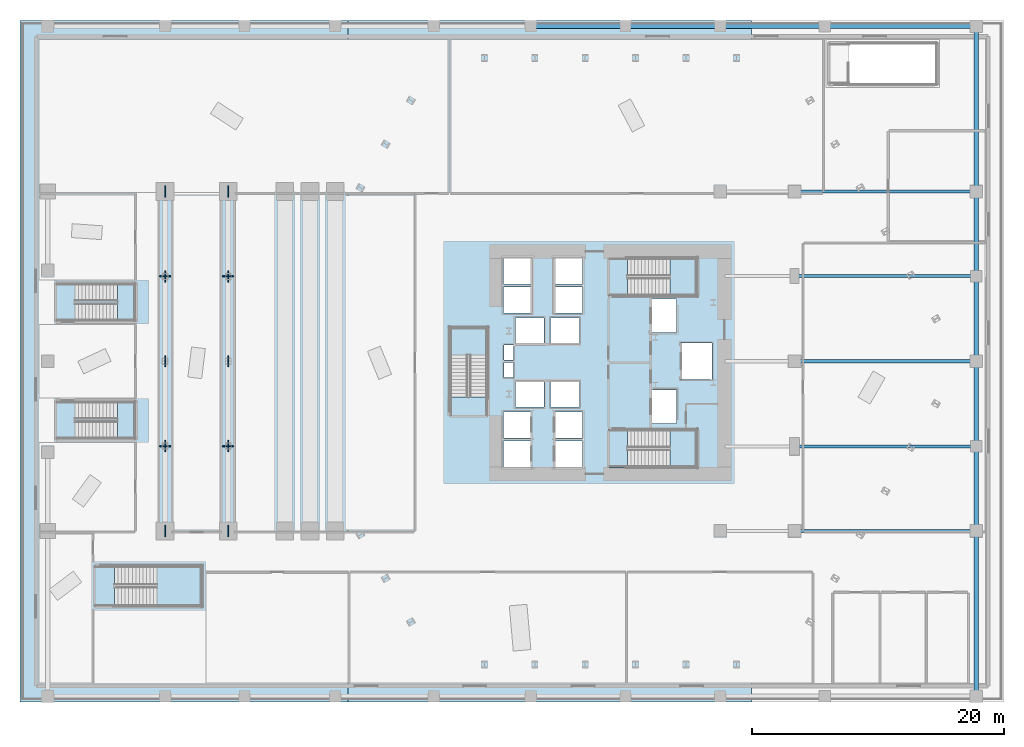
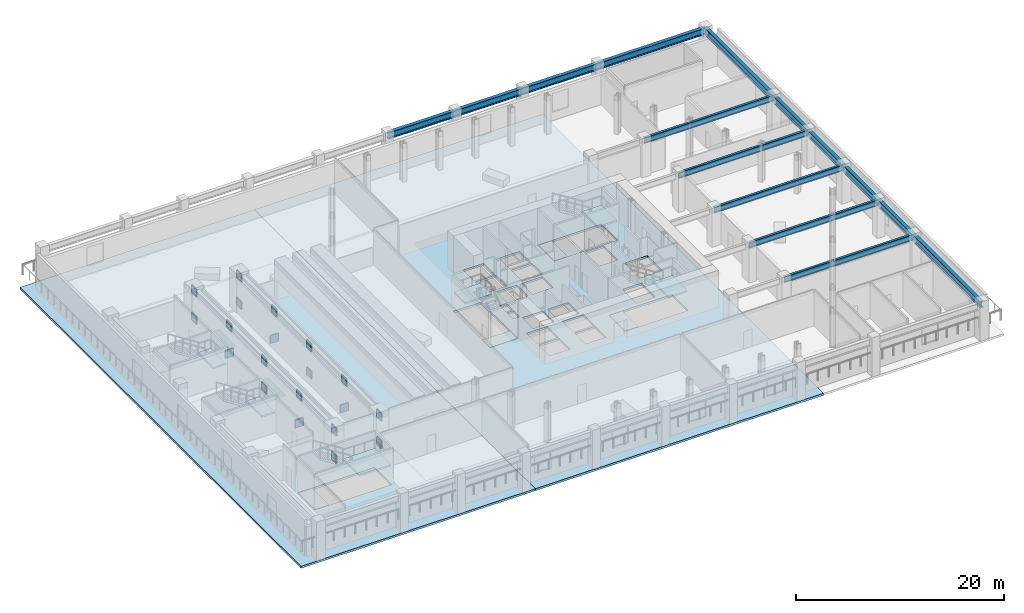
# One storey, part 5 of 24: 20 plates, 12 slabs, 8 beams, 6 elements without a shape of their own.
"""IFC4 building model written with IfcOpenShell, lengths in metres."""

from ifc_helpers import new_model, si_unit, direction, frame, origin, origin_2d, place, context, subcontext, project, spatial, polyline, rectangle, i_section, outline, extrude, material, layer, layer_set, material_profile, profile_set, type_object, element, aggregate, save


model = new_model("IFC4")

# Units and contexts
model_context = context("Model", 3, precision=1e-05, world=origin(), true_north=direction((0.0, 1.0)))
body_context = subcontext(model_context, "Body", "Model", "MODEL_VIEW")
ifc_project = project(units=[si_unit("LENGTHUNIT", "METRE"), si_unit("AREAUNIT", "SQUARE_METRE"), si_unit("VOLUMEUNIT", "CUBIC_METRE"), si_unit("PLANEANGLEUNIT", "RADIAN"), si_unit("MASSUNIT", "GRAM", prefix="KILO")], contexts=[model_context])

# Site, building, storey
site_placement = place(None, origin())
site = spatial("IfcSite", under=ifc_project, at=site_placement, CompositionType="ELEMENT")
building_placement = place(site_placement, origin())
building = spatial("IfcBuilding", under=site, at=building_placement, Name="Valkerne Bourse Tower", CompositionType="ELEMENT")
storey_placement = place(building_placement, frame((0.0, 0.0, 19.39990234375)))
storey = spatial("IfcBuildingStorey", under=building, at=storey_placement, Name="L04", CompositionType="ELEMENT", Elevation=19.39990234375)

# Beams
ifc_material_1 = material(Name="Steel ASTM A992", Category="steel")
ifc_material_profile_1 = material_profile(ifc_material_1, i_section(OverallWidth=0.255859375, OverallDepth=0.693359375, WebThickness=0.014404296875, FlangeThickness=0.023681640625, FilletRadius=0.02294921875, at=origin_2d()), Name="W27X114")
ifc_profile_set_1 = profile_set([ifc_material_profile_1], Name="Steel ASTM A992")
beam_type_1 = type_object("IfcBeamType", Name="BM-W27X114", PredefinedType="BEAM", material=ifc_profile_set_1)
for number, where, z_axis, x_axis, name in (
    (1, (61.39990234375, 13.550048828125, 3.953369140625), (1.0, 0.0, 0.0), (0.0, 1.0, 0.0), "L04 East Wing Floor Girder 2 Y13"),
    (2, (61.39990234375, 20.25, 3.953369140625), (1.0, 0.0, 0.0), (0.0, 1.0, 0.0), "L04 East Wing Floor Girder 2 Y20"),
    (3, (61.39990234375, 27.0, 3.953369140625), (1.0, 0.0, 0.0), (0.0, 1.0, 0.0), "L04 East Wing Floor Girder 2 Y27"),
    (4, (61.39990234375, 33.75, 3.953369140625), (1.0, 0.0, 0.0), (0.0, 1.0, 0.0), "L04 East Wing Floor Girder 2 Y33"),
    (5, (61.39990234375, 40.449951171875, 3.953369140625), (1.0, 0.0, 0.0), (0.0, 1.0, 0.0), "L04 East Wing Floor Girder 2 Y40"),
):
    element("IfcBeam", number, at=place(storey_placement, frame(where, z_axis=z_axis, x_axis=x_axis)), inside=storey, type_object=beam_type_1, Name=name, PredefinedType="BEAM", context=body_context, shape_type="SweptSolid", body=[
        extrude(i_section(OverallWidth=0.255859375, OverallDepth=0.693359375, WebThickness=0.014404296875, FlangeThickness=0.023681640625, FilletRadius=0.02294921875, at=origin_2d()), origin(), (0.0, 0.0, 1.0), 14.400146484375),
    ])
ifc_material_profile_2 = material_profile(ifc_material_1, i_section(OverallWidth=0.383544921875, OverallDepth=0.784912109375, WebThickness=0.019775390625, FlangeThickness=0.033447265625, FilletRadius=0.025390625, at=origin_2d()), Name="W30X211")
ifc_profile_set_2 = profile_set([ifc_material_profile_2], Name="Steel ASTM A992")
beam_type_2 = type_object("IfcBeamType", Name="BM-W30X211", PredefinedType="SPANDREL", material=ifc_profile_set_2)
beam_placement = place(storey_placement, frame((40.5, 53.550048828125, 3.90771484375), z_axis=(1.0, 0.0, 0.0), x_axis=(0.0, 1.0, 0.0)))
element("IfcBeam", 6, at=beam_placement, inside=storey, type_object=beam_type_2, Name="L04 Podium Spandrel Girder N2", PredefinedType="SPANDREL", context=body_context, shape_type="SweptSolid", body=[
    extrude(i_section(OverallWidth=0.383544921875, OverallDepth=0.784912109375, WebThickness=0.019775390625, FlangeThickness=0.033447265625, FilletRadius=0.025390625, at=origin_2d()), origin(), (0.0, 0.0, 1.0), 35.300048828125),
])
for number, where, z_axis, x_axis, name in (
    (7, (75.800048828125, 0.449951171875, 3.90771484375), (0.0, 1.0, 0.0), (-1.0, 0.0, 0.0), "L04 Podium Spandrel Girder E1"),
    (8, (75.800048828125, 27.0, 3.90771484375), (0.0, 1.0, 0.0), (-1.0, 0.0, 0.0), "L04 Podium Spandrel Girder E2"),
):
    element("IfcBeam", number, at=place(storey_placement, frame(where, z_axis=z_axis, x_axis=x_axis)), inside=storey, type_object=beam_type_2, Name=name, PredefinedType="SPANDREL", context=body_context, shape_type="SweptSolid", body=[
        extrude(i_section(OverallWidth=0.383544921875, OverallDepth=0.784912109375, WebThickness=0.019775390625, FlangeThickness=0.033447265625, FilletRadius=0.025390625, at=origin_2d()), origin(), (0.0, 0.0, 1.0), 26.550048828125),
    ])

# Plates
ifc_material_2 = material(Name="Steel ASTM A572 Grade 50", Category="steel")
ifc_layer_1 = layer(ifc_material_2, 0.080078125)
ifc_layer_set_1 = layer_set([ifc_layer_1], Name="Steel ASTM A572 Grade 50")
plate_type = type_object("IfcPlateType", Name="PLT-GUS-80", PredefinedType="SHEET", material=ifc_layer_set_1)
for number, where, z_axis, x_axis, name in (
    (9, (11.5, 13.550048828125, 3.316650390625), (0.0, 0.0, 1.0), (1.0, 0.0, 0.0), "L04 Transfer Truss Gusset Plate GP-001"),
    (10, (11.5, 20.280029296875, 3.316650390625), (0.0, 0.0, 1.0), (1.0, 0.0, 0.0), "L04 Transfer Truss Gusset Plate GP-002"),
    (11, (11.5, 27.0, 3.316650390625), (0.0, 0.0, 1.0), (1.0, 0.0, 0.0), "L04 Transfer Truss Gusset Plate GP-003"),
    (12, (11.5, 33.719970703125, 3.316650390625), (0.0, 0.0, 1.0), (1.0, 0.0, 0.0), "L04 Transfer Truss Gusset Plate GP-004"),
    (13, (11.5, 40.449951171875, 3.316650390625), (0.0, 0.0, 1.0), (1.0, 0.0, 0.0), "L04 Transfer Truss Gusset Plate GP-005"),
    (14, (16.5, 13.550048828125, 3.316650390625), (0.0, 0.0, 1.0), (1.0, 0.0, 0.0), "L04 Transfer Truss Gusset Plate GP-006"),
    (15, (16.5, 20.280029296875, 3.316650390625), (0.0, 0.0, 1.0), (1.0, 0.0, 0.0), "L04 Transfer Truss Gusset Plate GP-007"),
    (16, (16.5, 27.0, 3.316650390625), (0.0, 0.0, 1.0), (1.0, 0.0, 0.0), "L04 Transfer Truss Gusset Plate GP-008"),
    (17, (16.5, 33.719970703125, 3.316650390625), (0.0, 0.0, 1.0), (1.0, 0.0, 0.0), "L04 Transfer Truss Gusset Plate GP-009"),
    (18, (16.5, 40.449951171875, 3.316650390625), (0.0, 0.0, 1.0), (1.0, 0.0, 0.0), "L04 Transfer Truss Gusset Plate GP-010"),
):
    element("IfcPlate", number, at=place(storey_placement, frame(where, z_axis=z_axis, x_axis=x_axis)), inside=storey, type_object=plate_type, Name=name, PredefinedType="SHEET", context=body_context, shape_type="SweptSolid", body=[
        extrude(rectangle(XDim=0.080078125, YDim=0.89990234375, at=origin_2d()), origin(), (0.0, 0.0, 1.0), 0.89990234375),
    ])
for number, where, z_axis, x_axis, name in (
    (19, (11.5, 13.550048828125, 0.09619140625), (0.0, 0.0, 1.0), (0.0, 1.0, 0.0), "L04 Brace Node Gusset Plate PLT-GUS-END-L04-089"),
    (20, (11.5, 27.0, 0.09619140625), (0.0, 0.0, 1.0), (0.0, 1.0, 0.0), "L04 Brace Node Gusset Plate PLT-GUS-END-L04-090"),
    (21, (11.5, 40.449951171875, 0.09619140625), (0.0, 0.0, 1.0), (0.0, 1.0, 0.0), "L04 Brace Node Gusset Plate PLT-GUS-END-L04-091"),
    (22, (11.5, 20.280029296875, 0.09619140625), (0.0, 0.0, 1.0), (1.0, 0.0, 0.0), "L04 Brace Node Gusset Plate PLT-GUS-END-L04-092"),
    (23, (11.5, 33.719970703125, 0.09619140625), (0.0, 0.0, 1.0), (1.0, 0.0, 0.0), "L04 Brace Node Gusset Plate PLT-GUS-END-L04-093"),
    (24, (16.5, 13.550048828125, 0.09619140625), (0.0, 0.0, 1.0), (0.0, 1.0, 0.0), "L04 Brace Node Gusset Plate PLT-GUS-END-L04-094"),
    (25, (16.5, 27.0, 0.09619140625), (0.0, 0.0, 1.0), (0.0, 1.0, 0.0), "L04 Brace Node Gusset Plate PLT-GUS-END-L04-095"),
    (26, (16.5, 40.449951171875, 0.09619140625), (0.0, 0.0, 1.0), (0.0, 1.0, 0.0), "L04 Brace Node Gusset Plate PLT-GUS-END-L04-096"),
    (27, (16.5, 20.280029296875, 0.09619140625), (0.0, 0.0, 1.0), (1.0, 0.0, 0.0), "L04 Brace Node Gusset Plate PLT-GUS-END-L04-097"),
    (28, (16.5, 33.719970703125, 0.09619140625), (0.0, 0.0, 1.0), (1.0, 0.0, 0.0), "L04 Brace Node Gusset Plate PLT-GUS-END-L04-098"),
):
    element("IfcPlate", number, at=place(storey_placement, frame(where, z_axis=z_axis, x_axis=x_axis)), inside=storey, type_object=plate_type, Name=name, PredefinedType="SHEET", context=body_context, shape_type="SweptSolid", body=[
        extrude(rectangle(XDim=0.89990234375, YDim=0.080078125, at=origin_2d()), origin(), (0.0, 0.0, 1.0), 0.89990234375),
    ])

# Slabs
ifc_material_3 = material(Name="Concrete C40/50", Category="concrete")
ifc_layer_2 = layer(ifc_material_3, 0.239990234375)
ifc_layer_set_2 = layer_set([ifc_layer_2], Name="Concrete C40/50")
slab_type_1 = type_object("IfcSlabType", Name="SLB-POD-240", PredefinedType="FLOOR", material=ifc_layer_set_2)
slab_1_placement = place(storey_placement, frame((0.0, 0.0, -0.239990234375)))
element("IfcSlab", 29, at=slab_1_placement, inside=storey, type_object=slab_type_1, Name="L04 Podium Composite Floor Slab W", PredefinedType="FLOOR", context=body_context, shape_type="SweptSolid", body=[
    extrude(outline(polyline([(0.0, 0.0), (0.0, 54.0), (26.0, 54.0), (26.0, 0.0), (0.0, 0.0)]), holes=[polyline([(14.425048828125, 7.534912109375), (14.425048828125, 10.81494140625), (5.9150390625, 10.81494140625), (5.9150390625, 7.534912109375), (14.425048828125, 7.534912109375)])]), origin(), (0.0, 0.0, 1.0), 0.239990234375),
])
slab_2_placement = place(storey_placement, frame((0.0, 0.0, -0.239990234375)))
element("IfcSlab", 30, at=slab_2_placement, inside=storey, type_object=slab_type_1, Name="L04 Podium Composite Floor Slab C", PredefinedType="FLOOR", context=body_context, shape_type="SweptSolid", body=[
    extrude(outline(polyline([(26.0, 0.0), (26.0, 54.0), (58.0, 54.0), (58.0, 0.0), (26.0, 0.0)]), holes=[polyline([(40.590087890625, 18.610107421875), (40.590087890625, 20.68994140625), (38.31005859375, 20.68994140625), (38.31005859375, 18.610107421875), (40.590087890625, 18.610107421875)]), polyline([(40.590087890625, 20.909912109375), (40.590087890625, 22.989990234375), (38.31005859375, 22.989990234375), (38.31005859375, 20.909912109375), (40.590087890625, 20.909912109375)]), polyline([(39.260009765625, 23.360107421875), (41.5400390625, 23.360107421875), (41.5400390625, 25.43994140625), (39.260009765625, 25.43994140625), (39.260009765625, 23.360107421875)]), polyline([(37.114990234375, 22.6650390625), (37.114990234375, 29.675048828125), (34.034912109375, 29.675048828125), (34.034912109375, 22.6650390625), (37.114990234375, 22.6650390625)]), polyline([(39.10009765625, 25.72998046875), (39.10009765625, 26.89990234375), (38.3798828125, 26.89990234375), (38.3798828125, 25.72998046875), (39.10009765625, 25.72998046875)]), polyline([(38.3798828125, 27.10009765625), (39.10009765625, 27.10009765625), (39.10009765625, 28.27001953125), (38.3798828125, 28.27001953125), (38.3798828125, 27.10009765625)]), polyline([(39.260009765625, 28.360107421875), (41.5400390625, 28.360107421875), (41.5400390625, 30.43994140625), (39.260009765625, 30.43994140625), (39.260009765625, 28.360107421875)]), polyline([(44.340087890625, 28.360107421875), (44.340087890625, 30.43994140625), (42.06005859375, 30.43994140625), (42.06005859375, 28.360107421875), (44.340087890625, 28.360107421875)]), polyline([(38.31005859375, 30.81005859375), (40.590087890625, 30.81005859375), (40.590087890625, 32.889892578125), (38.31005859375, 32.889892578125), (38.31005859375, 30.81005859375)]), polyline([(38.31005859375, 33.110107421875), (40.590087890625, 33.110107421875), (40.590087890625, 35.18994140625), (38.31005859375, 35.18994140625), (38.31005859375, 33.110107421875)]), polyline([(44.590087890625, 18.610107421875), (44.590087890625, 20.68994140625), (42.31005859375, 20.68994140625), (42.31005859375, 18.610107421875), (44.590087890625, 18.610107421875)]), polyline([(53.675048828125, 18.534912109375), (53.675048828125, 21.614990234375), (46.6650390625, 21.614990234375), (46.6650390625, 18.534912109375), (53.675048828125, 18.534912109375)]), polyline([(44.590087890625, 20.909912109375), (44.590087890625, 22.989990234375), (42.31005859375, 22.989990234375), (42.31005859375, 20.909912109375), (44.590087890625, 20.909912109375)]), polyline([(49.9599609375, 22.06005859375), (52.0400390625, 22.06005859375), (52.0400390625, 24.739990234375), (49.9599609375, 24.739990234375), (49.9599609375, 22.06005859375)]), polyline([(42.06005859375, 23.360107421875), (44.340087890625, 23.360107421875), (44.340087890625, 25.43994140625), (42.06005859375, 25.43994140625), (42.06005859375, 23.360107421875)]), polyline([(54.840087890625, 25.56005859375), (54.840087890625, 28.43994140625), (52.360107421875, 28.43994140625), (52.360107421875, 25.56005859375), (54.840087890625, 25.56005859375)]), polyline([(49.9599609375, 29.260009765625), (52.0400390625, 29.260009765625), (52.0400390625, 31.93994140625), (49.9599609375, 31.93994140625), (49.9599609375, 29.260009765625)]), polyline([(42.31005859375, 30.81005859375), (44.590087890625, 30.81005859375), (44.590087890625, 32.889892578125), (42.31005859375, 32.889892578125), (42.31005859375, 30.81005859375)]), polyline([(53.675048828125, 32.135009765625), (53.675048828125, 35.215087890625), (46.6650390625, 35.215087890625), (46.6650390625, 32.135009765625), (53.675048828125, 32.135009765625)]), polyline([(42.31005859375, 33.110107421875), (44.590087890625, 33.110107421875), (44.590087890625, 35.18994140625), (42.31005859375, 35.18994140625), (42.31005859375, 33.110107421875)])]), origin(), (0.0, 0.0, 1.0), 0.239990234375),
])
ifc_layer_3 = layer(ifc_material_3, 0.25)
ifc_layer_set_3 = layer_set([ifc_layer_3], Name="Concrete C40/50")
slab_type_2 = type_object("IfcSlabType", Name="SLB-RMP-LND-250", PredefinedType="LANDING", material=ifc_layer_set_3)
slab_3_placement = place(storey_placement, frame((0.0, 0.0, -0.239990234375)))
element("IfcSlab", 31, at=slab_3_placement, inside=storey, type_object=slab_type_2, Name="L04 ST-1 Floor Landing Slab", PredefinedType="LANDING", context=body_context, shape_type="SweptSolid", body=[
    extrude(outline(polyline([(46.669921875, 18.5400390625), (48.14990234375, 18.5400390625), (48.14990234375, 21.610107421875), (46.669921875, 21.610107421875), (46.669921875, 18.5400390625)])), origin(), (0.0, 0.0, 1.0), 0.239990234375),
])
slab_4_placement = place(storey_placement, frame((0.0, 0.0, -0.239990234375)))
element("IfcSlab", 32, at=slab_4_placement, inside=storey, type_object=slab_type_2, Name="L04 ST-2 Floor Landing Slab", PredefinedType="LANDING", context=body_context, shape_type="SweptSolid", body=[
    extrude(outline(polyline([(46.669921875, 32.139892578125), (48.14990234375, 32.139892578125), (48.14990234375, 35.2099609375), (46.669921875, 35.2099609375), (46.669921875, 32.139892578125)])), origin(), (0.0, 0.0, 1.0), 0.239990234375),
])
slab_5_placement = place(storey_placement, frame((0.0, 0.0, -0.239990234375)))
element("IfcSlab", 33, at=slab_5_placement, inside=storey, type_object=slab_type_2, Name="L04 ST-3 Floor Landing Slab", PredefinedType="LANDING", context=body_context, shape_type="SweptSolid", body=[
    extrude(outline(polyline([(37.110107421875, 22.669921875), (37.110107421875, 24.14990234375), (34.0400390625, 24.14990234375), (34.0400390625, 22.669921875), (37.110107421875, 22.669921875)])), origin(), (0.0, 0.0, 1.0), 0.239990234375),
])
slab_6_placement = place(storey_placement, frame((0.0, 0.0, -0.239990234375)))
element("IfcSlab", 34, at=slab_6_placement, inside=storey, type_object=slab_type_2, Name="L04 ST-P1 Floor Landing Slab", PredefinedType="LANDING", context=body_context, shape_type="SweptSolid", body=[
    extrude(outline(polyline([(5.919921875, 7.5400390625), (7.5, 7.5400390625), (7.5, 10.81005859375), (5.919921875, 10.81005859375), (5.919921875, 7.5400390625)])), origin(), (0.0, 0.0, 1.0), 0.239990234375),
])

# Stair, slab
stair_type_1 = type_object("IfcStairType", Name="ST-CORE-1400", PredefinedType="HALF_TURN_STAIR", material=ifc_material_3)
stair_1_placement = place(storey_placement, origin())
stair_1 = element("IfcStair", 35, at=stair_1_placement, inside=storey, type_object=stair_type_1, Name="L04 ST-1", PredefinedType="HALF_TURN_STAIR")
ifc_layer_4 = layer(ifc_material_3, 0.179931640625)
ifc_layer_set_4 = layer_set([ifc_layer_4], Name="Concrete C40/50")
slab_type_3 = type_object("IfcSlabType", Name="SLB-ST-LND-180", PredefinedType="LANDING", material=ifc_layer_set_4)
slab_7_placement = place(storey_placement, frame((0.0, 0.0, 2.10009765625)))
slab_7 = element("IfcSlab", 36, at=slab_7_placement, type_object=slab_type_3, Name="ST-1 landing 1", PredefinedType="LANDING", context=body_context, shape_type="SweptSolid", body=[
    extrude(outline(polyline([(51.510009765625, 18.60009765625), (53.64990234375, 18.60009765625), (53.64990234375, 21.550048828125), (51.510009765625, 21.550048828125), (51.510009765625, 18.60009765625)])), origin(), (0.0, 0.0, 1.0), 0.199951171875),
])
aggregate(stair_1, [slab_7])

stair_2_placement = place(storey_placement, origin())
stair_2 = element("IfcStair", 37, at=stair_2_placement, inside=storey, type_object=stair_type_1, Name="L04 ST-2", PredefinedType="HALF_TURN_STAIR")
slab_8_placement = place(storey_placement, frame((0.0, 0.0, 2.10009765625)))
slab_8 = element("IfcSlab", 38, at=slab_8_placement, type_object=slab_type_3, Name="ST-2 landing 1", PredefinedType="LANDING", context=body_context, shape_type="SweptSolid", body=[
    extrude(outline(polyline([(51.510009765625, 32.199951171875), (53.64990234375, 32.199951171875), (53.64990234375, 35.14990234375), (51.510009765625, 35.14990234375), (51.510009765625, 32.199951171875)])), origin(), (0.0, 0.0, 1.0), 0.199951171875),
])
aggregate(stair_2, [slab_8])

stair_3_placement = place(storey_placement, origin())
stair_3 = element("IfcStair", 39, at=stair_3_placement, inside=storey, type_object=stair_type_1, Name="L04 ST-3", PredefinedType="HALF_TURN_STAIR")
slab_9_placement = place(storey_placement, frame((0.0, 0.0, 2.10009765625)))
slab_9 = element("IfcSlab", 40, at=slab_9_placement, type_object=slab_type_3, Name="ST-3 landing 1", PredefinedType="LANDING", context=body_context, shape_type="SweptSolid", body=[
    extrude(outline(polyline([(37.050048828125, 27.510009765625), (37.050048828125, 29.64990234375), (34.10009765625, 29.64990234375), (34.10009765625, 27.510009765625), (37.050048828125, 27.510009765625)])), origin(), (0.0, 0.0, 1.0), 0.199951171875),
])
aggregate(stair_3, [slab_9])

stair_type_2 = type_object("IfcStairType", Name="ST-POD-1500", PredefinedType="HALF_TURN_STAIR", material=ifc_material_3)
stair_4_placement = place(storey_placement, origin())
stair_4 = element("IfcStair", 41, at=stair_4_placement, inside=storey, type_object=stair_type_2, Name="L04 ST-P1", PredefinedType="HALF_TURN_STAIR")
slab_10_placement = place(storey_placement, frame((0.0, 0.0, 2.10009765625)))
slab_10 = element("IfcSlab", 42, at=slab_10_placement, type_object=slab_type_3, Name="ST-P1 landing 1", PredefinedType="LANDING", context=body_context, shape_type="SweptSolid", body=[
    extrude(outline(polyline([(10.860107421875, 7.60009765625), (14.39990234375, 7.60009765625), (14.39990234375, 10.75), (10.860107421875, 10.75), (10.860107421875, 7.60009765625)])), origin(), (0.0, 0.0, 1.0), 0.199951171875),
])
aggregate(stair_4, [slab_10])

ifc_material_4 = material(Name="Indiana Limestone Cladding", Category="masonry")
stair_type_3 = type_object("IfcStairType", Name="ST-GDN-1300", PredefinedType="HALF_TURN_STAIR", material=ifc_material_4)
stair_5_placement = place(storey_placement, origin())
stair_5 = element("IfcStair", 43, at=stair_5_placement, inside=storey, type_object=stair_type_3, Name="L04 ST-G1", PredefinedType="HALF_TURN_STAIR")
slab_11_placement = place(storey_placement, frame((0.0, 0.0, 2.10009765625)))
slab_11 = element("IfcSlab", 44, at=slab_11_placement, type_object=slab_type_3, Name="ST-G1 landing 1", PredefinedType="LANDING", context=body_context, shape_type="SweptSolid", body=[
    extrude(outline(polyline([(7.7099609375, 20.85009765625), (9.14990234375, 20.85009765625), (9.14990234375, 23.800048828125), (7.7099609375, 23.800048828125), (7.7099609375, 20.85009765625)])), origin(), (0.0, 0.0, 1.0), 0.199951171875),
])
aggregate(stair_5, [slab_11])

stair_6_placement = place(storey_placement, origin())
stair_6 = element("IfcStair", 45, at=stair_6_placement, inside=storey, type_object=stair_type_3, Name="L04 ST-G2", PredefinedType="HALF_TURN_STAIR")
slab_12_placement = place(storey_placement, frame((0.0, 0.0, 2.10009765625)))
slab_12 = element("IfcSlab", 46, at=slab_12_placement, type_object=slab_type_3, Name="ST-G2 landing 1", PredefinedType="LANDING", context=body_context, shape_type="SweptSolid", body=[
    extrude(outline(polyline([(7.7099609375, 30.199951171875), (9.14990234375, 30.199951171875), (9.14990234375, 33.14990234375), (7.7099609375, 33.14990234375), (7.7099609375, 30.199951171875)])), origin(), (0.0, 0.0, 1.0), 0.199951171875),
])
aggregate(stair_6, [slab_12])

save(model, "model.ifc")
